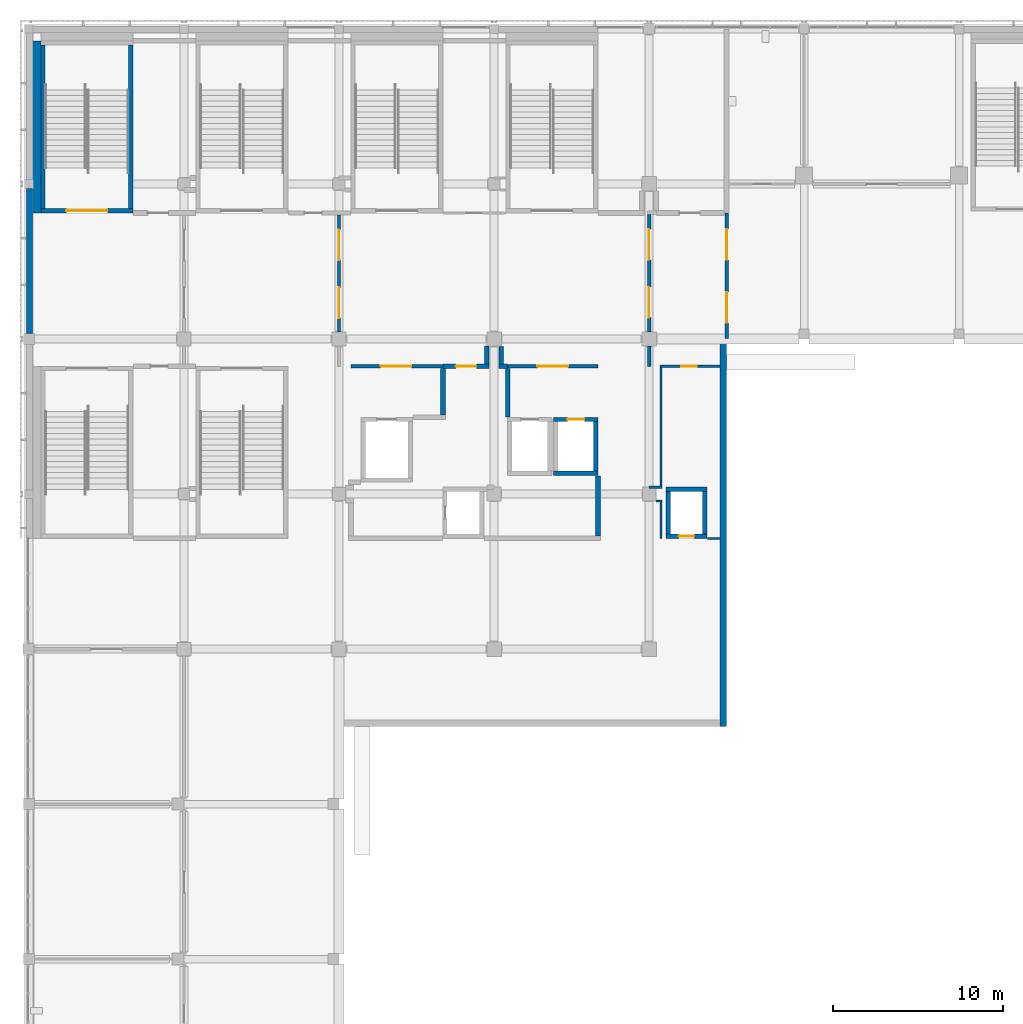
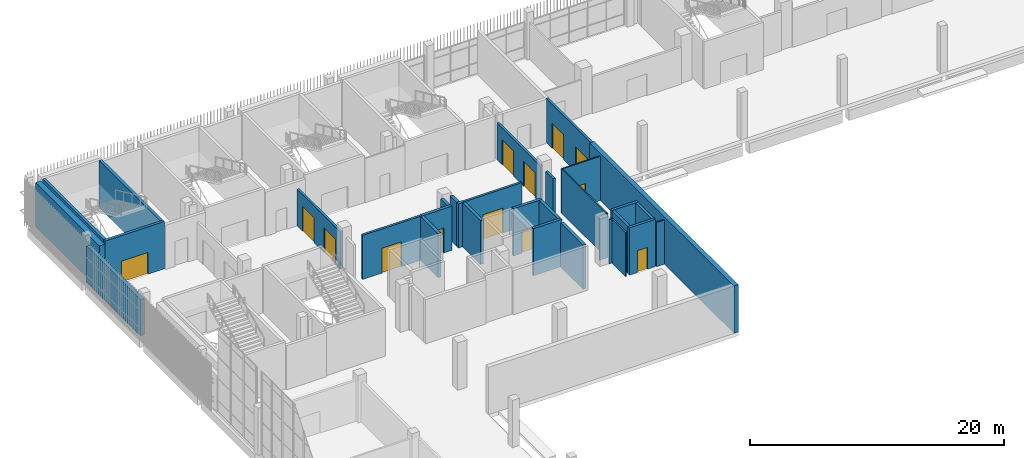
# One storey, part 81 of 126: 32 walls, 13 doors, 13 openings.
"""IFC4 building model written with IfcOpenShell, lengths in metres."""

from ifc_helpers import new_model, si_unit, direction, frame, frame_2d, origin, place, context, subcontext, project, spatial, rectangle, extrude, material, layer, layer_set, type_object, element, fill, save


model = new_model("IFC4")

# Units and contexts
model_context = context("Model", 3, precision=1e-05, world=origin(), true_north=direction((0.0, 1.0)))
body_context = subcontext(model_context, "Body", "Model", "MODEL_VIEW")
ifc_project = project(units=[si_unit("LENGTHUNIT", "METRE"), si_unit("AREAUNIT", "SQUARE_METRE"), si_unit("VOLUMEUNIT", "CUBIC_METRE"), si_unit("PLANEANGLEUNIT", "RADIAN"), si_unit("MASSUNIT", "GRAM", prefix="KILO")], contexts=[model_context])

# Site, building, storey
site_placement = place(None, origin())
site = spatial("IfcSite", under=ifc_project, at=site_placement, CompositionType="ELEMENT")
building_placement = place(site_placement, origin())
building = spatial("IfcBuilding", under=site, at=building_placement, Name="Shirokan Park Arena", CompositionType="ELEMENT")
storey_placement = place(building_placement, frame((0.0, 0.0, 6.3701171875)))
storey = spatial("IfcBuildingStorey", under=building, at=storey_placement, Name="L01", CompositionType="ELEMENT", Elevation=6.3701171875)

# Wall, openings, doors
ifc_material_1 = material(Name="Gypsum board")
ifc_layer_1 = layer(ifc_material_1, 0.02490234375, Name="Gypsum board, two layers")
ifc_material_2 = material(Name="Mineral wool insulation")
ifc_layer_2 = layer(ifc_material_2, 0.14990234375, Name="Mineral wool insulation")
ifc_layer_3 = layer(ifc_material_1, 0.02490234375, Name="Gypsum board, two layers")
ifc_layer_set_1 = layer_set([ifc_layer_1, ifc_layer_2, ifc_layer_3], Name="Gypsum board, two layers + Mineral wool insulation")
wall_type_1 = type_object("IfcWallType", Name="Corridor wall 200", PredefinedType="PARTITIONING", material=ifc_layer_set_1)
wall_1_placement = place(storey_placement, frame((18.199951171875, 98.27490234375, 0.0), z_axis=(0.0, 0.0, 1.0), x_axis=(0.0, -1.0, 0.0)))
wall_1 = element("IfcWall", 1, at=wall_1_placement, inside=storey, type_object=wall_type_1, Name="Corridor wall 200 L01", PredefinedType="PARTITIONING", context=body_context, shape_type="SweptSolid", body=[
    extrude(rectangle(XDim=6.849853515625, YDim=0.199951171875, at=frame_2d((3.4248046875, 0.0))), origin(), (0.0, 0.0, 1.0), 3.5498046875),
])
opening_1_placement = place(wall_1_placement, frame((0.85009765625, 0.0, 0.0)))
opening_1 = element("IfcOpeningElement", 2, at=opening_1_placement, cuts=wall_1, Name="Opening D-1087", PredefinedType="OPENING", context=body_context, shape_type="SweptSolid", body=[
    extrude(rectangle(XDim=1.800048828125, YDim=2.39990234375, at=frame_2d((0.89990234375, 1.199951171875))), frame((0.0, 0.10986328125, 0.0), z_axis=(0.0, -1.0, 0.0), x_axis=(1.0, 0.0, 0.0)), (0.0, 0.0, 1.0), 0.219970703125),
])
opening_2_placement = place(wall_1_placement, frame((4.25, 0.0, 0.0)))
opening_2 = element("IfcOpeningElement", 3, at=opening_2_placement, cuts=wall_1, Name="Opening D-1088", PredefinedType="OPENING", context=body_context, shape_type="SweptSolid", body=[
    extrude(rectangle(XDim=1.800048828125, YDim=2.39990234375, at=frame_2d((0.89990234375, 1.199951171875))), frame((0.0, 0.10986328125, 0.0), z_axis=(0.0, -1.0, 0.0), x_axis=(1.0, 0.0, 0.0)), (0.0, 0.0, 1.0), 0.219970703125),
])
ifc_material_3 = material(Name="Glazed steel door set, fire resisting", Category="steel")
door_type_1 = type_object("IfcDoorType", Name="Lift lobby door 1800 x 2400", OperationType="DOUBLE_DOOR_SINGLE_SWING", PredefinedType="DOOR", material=ifc_material_3)
door_1_placement = place(opening_1_placement, origin())
door_1 = element("IfcDoor", 4, at=door_1_placement, inside=storey, type_object=door_type_1, Name="Door between Kiosk Court 4.1.2 and Retail Arcade 4.1.3 D-1087", OperationType="DOUBLE_DOOR_SINGLE_SWING", OverallHeight=2.39990234375, OverallWidth=1.800048828125, PredefinedType="DOOR", context=body_context, shape_type="SweptSolid", body=[
    extrude(rectangle(XDim=1.800048828125, YDim=2.39990234375, at=frame_2d((0.89990234375, 1.199951171875))), frame((0.0, 0.02490234375, 0.0), z_axis=(0.0, -1.0, 0.0), x_axis=(1.0, 0.0, 0.0)), (0.0, 0.0, 1.0), 0.050048828125),
])
fill(opening_1, door_1)
door_2_placement = place(opening_2_placement, origin())
door_2 = element("IfcDoor", 5, at=door_2_placement, inside=storey, type_object=door_type_1, Name="Door between Kiosk Court 4.1.2 and Retail Arcade 4.1.3 D-1088", OperationType="DOUBLE_DOOR_SINGLE_SWING", OverallHeight=2.39990234375, OverallWidth=1.800048828125, PredefinedType="DOOR", context=body_context, shape_type="SweptSolid", body=[
    extrude(rectangle(XDim=1.800048828125, YDim=2.39990234375, at=frame_2d((0.89990234375, 1.199951171875))), frame((0.0, 0.02490234375, 0.0), z_axis=(0.0, -1.0, 0.0), x_axis=(1.0, 0.0, 0.0)), (0.0, 0.0, 1.0), 0.050048828125),
])
fill(opening_2, door_2)

# Wall, opening, door
wall_2_placement = place(storey_placement, frame((24.300048828125, 89.39990234375, 0.0), z_axis=(0.0, 0.0, 1.0), x_axis=(-1.0, 0.0, 0.0)))
wall_2 = element("IfcWall", 6, at=wall_2_placement, inside=storey, type_object=wall_type_1, Name="Corridor wall 200 L01", PredefinedType="PARTITIONING", context=body_context, shape_type="SweptSolid", body=[
    extrude(rectangle(XDim=5.400146484375, YDim=0.199951171875, at=frame_2d((2.7001953125, 0.0))), origin(), (0.0, 0.0, 1.0), 4.25),
])
opening_3_placement = place(wall_2_placement, frame((1.85009765625, 0.0, 0.0)))
opening_3 = element("IfcOpeningElement", 7, at=opening_3_placement, cuts=wall_2, Name="Opening D-1092", PredefinedType="OPENING", context=body_context, shape_type="SweptSolid", body=[
    extrude(rectangle(XDim=1.800048828125, YDim=2.39990234375, at=frame_2d((0.89990234375, 1.199951171875))), frame((0.0, 0.10986328125, 0.0), z_axis=(0.0, -1.0, 0.0), x_axis=(1.0, 0.0, 0.0)), (0.0, 0.0, 1.0), 0.219970703125),
])
door_3_placement = place(opening_3_placement, origin())
door_3 = element("IfcDoor", 8, at=door_3_placement, inside=storey, type_object=door_type_1, Name="Door between Retail Arcade 4.1.3 and Service Lift Lobby 4.1 D-1092", OperationType="DOUBLE_DOOR_SINGLE_SWING", OverallHeight=2.39990234375, OverallWidth=1.800048828125, PredefinedType="DOOR", context=body_context, shape_type="SweptSolid", body=[
    extrude(rectangle(XDim=1.800048828125, YDim=2.39990234375, at=frame_2d((0.89990234375, 1.199951171875))), frame((0.0, 0.02490234375, 0.0), z_axis=(0.0, -1.0, 0.0), x_axis=(1.0, 0.0, 0.0)), (0.0, 0.0, 1.0), 0.050048828125),
])
fill(opening_3, door_3)

wall_3_placement = place(storey_placement, frame((33.39990234375, 89.39990234375, 0.0), z_axis=(0.0, 0.0, 1.0), x_axis=(-1.0, 0.0, 0.0)))
wall_3 = element("IfcWall", 9, at=wall_3_placement, inside=storey, type_object=wall_type_1, Name="Corridor wall 200 L01", PredefinedType="PARTITIONING", context=body_context, shape_type="SweptSolid", body=[
    extrude(rectangle(XDim=5.2998046875, YDim=0.199951171875, at=frame_2d((2.64990234375, 0.0))), origin(), (0.0, 0.0, 1.0), 4.25),
])
opening_4_placement = place(wall_3_placement, frame((1.75, 0.0, 0.0)))
opening_4 = element("IfcOpeningElement", 10, at=opening_4_placement, cuts=wall_3, Name="Opening D-1091", PredefinedType="OPENING", context=body_context, shape_type="SweptSolid", body=[
    extrude(rectangle(XDim=1.800048828125, YDim=2.39990234375, at=frame_2d((0.89990234375, 1.199951171875))), frame((0.0, 0.10986328125, 0.0), z_axis=(0.0, -1.0, 0.0), x_axis=(1.0, 0.0, 0.0)), (0.0, 0.0, 1.0), 0.219970703125),
])
door_4_placement = place(opening_4_placement, origin())
door_4 = element("IfcDoor", 11, at=door_4_placement, inside=storey, type_object=door_type_1, Name="Door between Retail Arcade 4.1.3 and Lift Lobby 4.1 D-1091", OperationType="DOUBLE_DOOR_SINGLE_SWING", OverallHeight=2.39990234375, OverallWidth=1.800048828125, PredefinedType="DOOR", context=body_context, shape_type="SweptSolid", body=[
    extrude(rectangle(XDim=1.800048828125, YDim=2.39990234375, at=frame_2d((0.89990234375, 1.199951171875))), frame((0.0, 0.02490234375, 0.0), z_axis=(0.0, -1.0, 0.0), x_axis=(1.0, 0.0, 0.0)), (0.0, 0.0, 1.0), 0.050048828125),
])
fill(opening_4, door_4)

# Wall
wall_4_placement = place(storey_placement, frame((36.39990234375, 90.574951171875, 0.0), z_axis=(0.0, 0.0, 1.0), x_axis=(0.0, -1.0, 0.0)))
element("IfcWall", 12, at=wall_4_placement, inside=storey, type_object=wall_type_1, Name="Corridor wall 200 L01", PredefinedType="PARTITIONING", context=body_context, shape_type="SweptSolid", body=[
    extrude(rectangle(XDim=1.175048828125, YDim=0.199951171875, at=frame_2d((0.58740234375, 0.0))), origin(), (0.0, 0.0, 1.0), 3.5498046875),
])

# Wall, openings, doors
wall_5_placement = place(storey_placement, frame((36.39990234375, 98.300048828125, 0.0), z_axis=(0.0, 0.0, 1.0), x_axis=(0.0, -1.0, 0.0)))
wall_5 = element("IfcWall", 13, at=wall_5_placement, inside=storey, type_object=wall_type_1, Name="Corridor wall 200 L01", PredefinedType="PARTITIONING", context=body_context, shape_type="SweptSolid", body=[
    extrude(rectangle(XDim=6.875, YDim=0.199951171875, at=frame_2d((3.4375, 0.0))), origin(), (0.0, 0.0, 1.0), 3.5498046875),
])
opening_5_placement = place(wall_5_placement, frame((0.85009765625, 0.0, 0.0)))
opening_5 = element("IfcOpeningElement", 14, at=opening_5_placement, cuts=wall_5, Name="Opening D-1089", PredefinedType="OPENING", context=body_context, shape_type="SweptSolid", body=[
    extrude(rectangle(XDim=1.800048828125, YDim=2.39990234375, at=frame_2d((0.89990234375, 1.199951171875))), frame((0.0, 0.10986328125, 0.0), z_axis=(0.0, -1.0, 0.0), x_axis=(1.0, 0.0, 0.0)), (0.0, 0.0, 1.0), 0.219970703125),
])
opening_6_placement = place(wall_5_placement, frame((4.25, 0.0, 0.0)))
opening_6 = element("IfcOpeningElement", 15, at=opening_6_placement, cuts=wall_5, Name="Opening D-1090", PredefinedType="OPENING", context=body_context, shape_type="SweptSolid", body=[
    extrude(rectangle(XDim=1.800048828125, YDim=2.39990234375, at=frame_2d((0.89990234375, 1.199951171875))), frame((0.0, 0.10986328125, 0.0), z_axis=(0.0, -1.0, 0.0), x_axis=(1.0, 0.0, 0.0)), (0.0, 0.0, 1.0), 0.219970703125),
])
door_5_placement = place(opening_5_placement, origin())
door_5 = element("IfcDoor", 16, at=door_5_placement, inside=storey, type_object=door_type_1, Name="Door between Retail Arcade 4.1.3 and Stair Lobby 4.1.4 D-1089", OperationType="DOUBLE_DOOR_SINGLE_SWING", OverallHeight=2.39990234375, OverallWidth=1.800048828125, PredefinedType="DOOR", context=body_context, shape_type="SweptSolid", body=[
    extrude(rectangle(XDim=1.800048828125, YDim=2.39990234375, at=frame_2d((0.89990234375, 1.199951171875))), frame((0.0, 0.02490234375, 0.0), z_axis=(0.0, -1.0, 0.0), x_axis=(1.0, 0.0, 0.0)), (0.0, 0.0, 1.0), 0.050048828125),
])
fill(opening_5, door_5)
door_6_placement = place(opening_6_placement, origin())
door_6 = element("IfcDoor", 17, at=door_6_placement, inside=storey, type_object=door_type_1, Name="Door between Retail Arcade 4.1.3 and Stair Lobby 4.1.4 D-1090", OperationType="DOUBLE_DOOR_SINGLE_SWING", OverallHeight=2.39990234375, OverallWidth=1.800048828125, PredefinedType="DOOR", context=body_context, shape_type="SweptSolid", body=[
    extrude(rectangle(XDim=1.800048828125, YDim=2.39990234375, at=frame_2d((0.89990234375, 1.199951171875))), frame((0.0, 0.02490234375, 0.0), z_axis=(0.0, -1.0, 0.0), x_axis=(1.0, 0.0, 0.0)), (0.0, 0.0, 1.0), 0.050048828125),
])
fill(opening_6, door_6)

wall_6_placement = place(storey_placement, frame((40.949951171875, 98.39990234375, 0.0), z_axis=(0.0, 0.0, 1.0), x_axis=(0.0, -1.0, 0.0)))
wall_6 = element("IfcWall", 18, at=wall_6_placement, inside=storey, type_object=wall_type_1, Name="Corridor wall 200 L01", PredefinedType="PARTITIONING", context=body_context, shape_type="SweptSolid", body=[
    extrude(rectangle(XDim=7.369873046875, YDim=0.199951171875, at=frame_2d((3.68505859375, 0.0))), origin(), (0.0, 0.0, 1.0), 4.25),
])
opening_7_placement = place(wall_6_placement, frame((0.949951171875, 0.0, 0.0)))
opening_7 = element("IfcOpeningElement", 19, at=opening_7_placement, cuts=wall_6, Name="Opening D-1093", PredefinedType="OPENING", context=body_context, shape_type="SweptSolid", body=[
    extrude(rectangle(XDim=1.800048828125, YDim=2.39990234375, at=frame_2d((0.89990234375, 1.199951171875))), frame((0.0, 0.10986328125, 0.0), z_axis=(0.0, -1.0, 0.0), x_axis=(1.0, 0.0, 0.0)), (0.0, 0.0, 1.0), 0.219970703125),
])
opening_8_placement = place(wall_6_placement, frame((4.64990234375, 0.0, 0.0)))
opening_8 = element("IfcOpeningElement", 20, at=opening_8_placement, cuts=wall_6, Name="Opening D-1094", PredefinedType="OPENING", context=body_context, shape_type="SweptSolid", body=[
    extrude(rectangle(XDim=1.800048828125, YDim=2.39990234375, at=frame_2d((0.89990234375, 1.199951171875))), frame((0.0, 0.10986328125, 0.0), z_axis=(0.0, -1.0, 0.0), x_axis=(1.0, 0.0, 0.0)), (0.0, 0.0, 1.0), 0.219970703125),
])
door_7_placement = place(opening_7_placement, origin())
door_7 = element("IfcDoor", 21, at=door_7_placement, inside=storey, type_object=door_type_1, Name="Door between Stair Lobby 4.1.4 and Concourse L01 North D-1093", OperationType="DOUBLE_DOOR_SINGLE_SWING", OverallHeight=2.39990234375, OverallWidth=1.800048828125, PredefinedType="DOOR", context=body_context, shape_type="SweptSolid", body=[
    extrude(rectangle(XDim=1.800048828125, YDim=2.39990234375, at=frame_2d((0.89990234375, 1.199951171875))), frame((0.0, 0.02490234375, 0.0), z_axis=(0.0, -1.0, 0.0), x_axis=(1.0, 0.0, 0.0)), (0.0, 0.0, 1.0), 0.050048828125),
])
fill(opening_7, door_7)
door_8_placement = place(opening_8_placement, origin())
door_8 = element("IfcDoor", 22, at=door_8_placement, inside=storey, type_object=door_type_1, Name="Door between Stair Lobby 4.1.4 and Concourse L01 North D-1094", OperationType="DOUBLE_DOOR_SINGLE_SWING", OverallHeight=2.39990234375, OverallWidth=1.800048828125, PredefinedType="DOOR", context=body_context, shape_type="SweptSolid", body=[
    extrude(rectangle(XDim=1.800048828125, YDim=2.39990234375, at=frame_2d((0.89990234375, 1.199951171875))), frame((0.0, 0.02490234375, 0.0), z_axis=(0.0, -1.0, 0.0), x_axis=(1.0, 0.0, 0.0)), (0.0, 0.0, 1.0), 0.050048828125),
])
fill(opening_8, door_8)

# Walls
ifc_material_4 = material(Name="Cedar cladding")
ifc_layer_4 = layer(ifc_material_4, 0.030029296875, Name="Cedar cladding")
ifc_layer_5 = layer(ifc_material_2, 0.10009765625, Name="Mineral wool insulation")
ifc_material_5 = material(Name="Concrete C35", Category="concrete")
ifc_layer_6 = layer(ifc_material_5, 0.199951171875, Name="Concrete C35")
ifc_material_6 = material(Name="Gypsum board lining")
ifc_layer_7 = layer(ifc_material_6, 0.02001953125, Name="Gypsum board lining")
ifc_layer_set_2 = layer_set([ifc_layer_4, ifc_layer_5, ifc_layer_6, ifc_layer_7], Name="Cedar cladding + Mineral wool insulation + Concrete C35 + Gypsum board lining")
wall_type_2 = type_object("IfcWallType", Name="Insulated tower wall 350", PredefinedType="SOLIDWALL", material=ifc_layer_set_2)
wall_7_placement = place(storey_placement, frame((0.02490234375, 99.824951171875, 0.0), z_axis=(0.0, 0.0, 1.0), x_axis=(0.0, -1.0, 0.0)))
element("IfcWall", 23, at=wall_7_placement, inside=storey, type_object=wall_type_2, Name="West facade wall bay 2 L01", PredefinedType="SOLIDWALL", context=body_context, shape_type="SweptSolid", body=[
    extrude(rectangle(XDim=8.5, YDim=0.35009765625, at=frame_2d((4.25, 0.0))), origin(), (0.0, 0.0, 1.0), 3.5),
])
ifc_material_7 = material(Name="Plaster")
ifc_layer_8 = layer(ifc_material_7, 0.012451171875, Name="Plaster")
ifc_material_8 = material(Name="Concrete blockwork", Category="masonry")
ifc_layer_9 = layer(ifc_material_8, 0.25, Name="Concrete blockwork 250")
ifc_layer_10 = layer(ifc_material_7, 0.012451171875, Name="Plaster")
ifc_layer_set_3 = layer_set([ifc_layer_8, ifc_layer_9, ifc_layer_10], Name="Plaster + Concrete blockwork 250")
wall_type_3 = type_object("IfcWallType", Name="Plant room wall 275", PredefinedType="SOLIDWALL", material=ifc_layer_set_3)
wall_8_placement = place(storey_placement, frame((24.300048828125, 86.53759765625, 0.0), z_axis=(0.0, 0.0, 1.0), x_axis=(0.0, 1.0, 0.0)))
element("IfcWall", 24, at=wall_8_placement, inside=storey, type_object=wall_type_3, Name="Plant room wall 275 L01", PredefinedType="SOLIDWALL", context=body_context, shape_type="SweptSolid", body=[
    extrude(rectangle(XDim=2.724853515625, YDim=0.27490234375, at=frame_2d((1.3623046875, 0.0))), origin(), (0.0, 0.0, 1.0), 4.25),
])
wall_9_placement = place(storey_placement, frame((26.875, 90.574951171875, 0.0), z_axis=(0.0, 0.0, 1.0), x_axis=(0.0, -1.0, 0.0)))
element("IfcWall", 25, at=wall_9_placement, inside=storey, type_object=wall_type_3, Name="Plant room wall 275 L01", PredefinedType="SOLIDWALL", context=body_context, shape_type="SweptSolid", body=[
    extrude(rectangle(XDim=1.037353515625, YDim=0.27490234375, at=frame_2d((0.5185546875, 0.0))), origin(), (0.0, 0.0, 1.0), 4.25),
])

# Wall, opening, door
wall_10_placement = place(storey_placement, frame((27.012451171875, 89.39990234375, 0.0), z_axis=(0.0, 0.0, 1.0), x_axis=(-1.0, 0.0, 0.0)))
wall_10 = element("IfcWall", 26, at=wall_10_placement, inside=storey, type_object=wall_type_3, Name="Plant room wall 275 L01", PredefinedType="SOLIDWALL", context=body_context, shape_type="SweptSolid", body=[
    extrude(rectangle(XDim=2.71240234375, YDim=0.27490234375, at=frame_2d((1.356201171875, 0.0))), origin(), (0.0, 0.0, 1.0), 4.25),
])
opening_9_placement = place(wall_10_placement, frame((0.75, 0.0, 0.0)))
opening_9 = element("IfcOpeningElement", 27, at=opening_9_placement, cuts=wall_10, Name="Opening D-1025", PredefinedType="OPENING", context=body_context, shape_type="SweptSolid", body=[
    extrude(rectangle(XDim=1.199951171875, YDim=2.39990234375, at=frame_2d((0.60009765625, 1.199951171875))), frame((0.0, 0.1474609375, 0.0), z_axis=(0.0, -1.0, 0.0), x_axis=(1.0, 0.0, 0.0)), (0.0, 0.0, 1.0), 0.294921875),
])
ifc_material_9 = material(Name="Louvred steel door set, fire resisting", Category="steel")
door_type_2 = type_object("IfcDoorType", Name="Plant room door 1200 x 2400", OperationType="SINGLE_SWING_LEFT", PredefinedType="DOOR", material=ifc_material_9)
door_9_placement = place(opening_9_placement, origin())
door_9 = element("IfcDoor", 28, at=door_9_placement, inside=storey, type_object=door_type_2, Name="Door to Electrical Room 1.48 D-1025", OperationType="SINGLE_SWING_RIGHT", OverallHeight=2.39990234375, OverallWidth=1.199951171875, PredefinedType="DOOR", context=body_context, shape_type="SweptSolid", body=[
    extrude(rectangle(XDim=1.199951171875, YDim=2.39990234375, at=frame_2d((0.60009765625, 1.199951171875))), frame((0.0, 0.02490234375, 0.0), z_axis=(0.0, -1.0, 0.0), x_axis=(1.0, 0.0, 0.0)), (0.0, 0.0, 1.0), 0.050048828125),
])
fill(opening_9, door_9)

# Walls
wall_11_placement = place(storey_placement, frame((27.72509765625, 89.53759765625, 0.0), z_axis=(0.0, 0.0, 1.0), x_axis=(0.0, 1.0, 0.0)))
element("IfcWall", 29, at=wall_11_placement, inside=storey, type_object=wall_type_3, Name="Plant room wall 275 L01", PredefinedType="SOLIDWALL", context=body_context, shape_type="SweptSolid", body=[
    extrude(rectangle(XDim=1.037353515625, YDim=0.27490234375, at=frame_2d((0.5185546875, 0.0))), origin(), (0.0, 0.0, 1.0), 4.25),
])
wall_12_placement = place(storey_placement, frame((28.10009765625, 89.262451171875, 0.0), z_axis=(0.0, 0.0, 1.0), x_axis=(0.0, -1.0, 0.0)))
element("IfcWall", 30, at=wall_12_placement, inside=storey, type_object=wall_type_3, Name="Plant room wall 275 L01", PredefinedType="SOLIDWALL", context=body_context, shape_type="SweptSolid", body=[
    extrude(rectangle(XDim=2.83251953125, YDim=0.27490234375, at=frame_2d((1.416259765625, 0.0))), origin(), (0.0, 0.0, 1.0), 4.25),
])
wall_13_placement = place(storey_placement, frame((28.10009765625, 89.39990234375, 0.0), z_axis=(0.0, 0.0, 1.0), x_axis=(-1.0, 0.0, 0.0)))
element("IfcWall", 31, at=wall_13_placement, inside=storey, type_object=wall_type_3, Name="Plant room wall 275 L01", PredefinedType="SOLIDWALL", context=body_context, shape_type="SweptSolid", body=[
    extrude(rectangle(XDim=0.5126953125, YDim=0.27490234375, at=frame_2d((0.25634765625, 0.0))), origin(), (0.0, 0.0, 1.0), 4.25),
])
wall_14_placement = place(storey_placement, frame((33.39990234375, 82.969970703125, 0.0), z_axis=(0.0, 0.0, 1.0), x_axis=(0.0, -1.0, 0.0)))
element("IfcWall", 32, at=wall_14_placement, inside=storey, type_object=wall_type_3, Name="Plant room wall 275 L01", PredefinedType="SOLIDWALL", context=body_context, shape_type="SweptSolid", body=[
    extrude(rectangle(XDim=3.532470703125, YDim=0.27490234375, at=frame_2d((1.76611328125, 0.0))), origin(), (0.0, 0.0, 1.0), 4.25),
])
ifc_layer_11 = layer(ifc_material_5, 0.39990234375)
ifc_layer_set_4 = layer_set([ifc_layer_11], Name="Concrete C35 400 mm")
wall_type_4 = type_object("IfcWallType", Name="RC flank wall 400", PredefinedType="SHEAR", material=ifc_layer_set_4)
wall_15_placement = place(storey_placement, frame((40.75, 68.25, 0.0), z_axis=(0.0, 0.0, 1.0), x_axis=(0.0, 1.0, 0.0)))
element("IfcWall", 33, at=wall_15_placement, inside=storey, type_object=wall_type_4, Name="Flank wall N1 L01", PredefinedType="SHEAR", context=body_context, shape_type="SweptSolid", body=[
    extrude(rectangle(XDim=22.75, YDim=0.39990234375, at=frame_2d((11.375, 0.0))), origin(), (0.0, 0.0, 1.0), 4.5498046875),
])
ifc_material_10 = material(Name="Concrete C40/50", Category="concrete")
ifc_layer_12 = layer(ifc_material_10, 0.25)
ifc_layer_set_5 = layer_set([ifc_layer_12], Name="Concrete C40/50 250 mm")
wall_type_5 = type_object("IfcWallType", Name="RC shear wall 250", PredefinedType="SHEAR", material=ifc_layer_set_5)
wall_16_placement = place(storey_placement, frame((33.39990234375, 83.125, 0.0), z_axis=(0.0, 0.0, 1.0), x_axis=(-1.0, 0.0, 0.0)))
element("IfcWall", 34, at=wall_16_placement, inside=storey, type_object=wall_type_5, Name="Shaft wall Passenger Lift 4.2 S L01", PredefinedType="SHEAR", context=body_context, shape_type="SweptSolid", body=[
    extrude(rectangle(XDim=2.599853515625, YDim=0.25, at=frame_2d((1.2998046875, 0.0))), origin(), (0.0, 0.0, 1.0), 4.5498046875),
])

# Wall, opening, door
wall_17_placement = place(storey_placement, frame((33.39990234375, 86.27490234375, 0.0), z_axis=(0.0, 0.0, 1.0), x_axis=(-1.0, 0.0, 0.0)))
wall_17 = element("IfcWall", 35, at=wall_17_placement, inside=storey, type_object=wall_type_5, Name="Shaft wall Passenger Lift 4.2 N L01", PredefinedType="SHEAR", context=body_context, shape_type="SweptSolid", body=[
    extrude(rectangle(XDim=2.599853515625, YDim=0.25, at=frame_2d((1.2998046875, 0.0))), origin(), (0.0, 0.0, 1.0), 4.5498046875),
])
opening_10_placement = place(wall_17_placement, frame((0.800048828125, 0.0, 0.0)))
opening_10 = element("IfcOpeningElement", 36, at=opening_10_placement, cuts=wall_17, Name="Opening LD44", PredefinedType="OPENING", context=body_context, shape_type="SweptSolid", body=[
    extrude(rectangle(XDim=1.0, YDim=2.10009765625, at=frame_2d((0.5, 1.050048828125))), frame((0.0, 0.135009765625, 0.0), z_axis=(0.0, -1.0, 0.0), x_axis=(1.0, 0.0, 0.0)), (0.0, 0.0, 1.0), 0.27001953125),
])
ifc_material_11 = material(Name="Stainless steel", Category="steel")
door_type_3 = type_object("IfcDoorType", Name="Lift landing door 1000x2100", OperationType="DOUBLE_DOOR_SLIDING", PredefinedType="DOOR", material=ifc_material_11)
door_10_placement = place(opening_10_placement, origin())
door_10 = element("IfcDoor", 37, at=door_10_placement, inside=storey, type_object=door_type_3, Name="Lift landing door Passenger Lift 4.2 L01", OperationType="DOUBLE_DOOR_SLIDING", OverallHeight=2.10009765625, OverallWidth=1.0, PredefinedType="DOOR", context=body_context, shape_type="SweptSolid", body=[
    extrude(rectangle(XDim=1.0, YDim=2.10009765625, at=frame_2d((0.5, 1.050048828125))), frame((0.0, 0.02490234375, 0.0), z_axis=(0.0, -1.0, 0.0), x_axis=(1.0, 0.0, 0.0)), (0.0, 0.0, 1.0), 0.050048828125),
])
fill(opening_10, door_10)

# Wall
wall_18_placement = place(storey_placement, frame((33.27490234375, 86.14990234375, 0.0), z_axis=(0.0, 0.0, 1.0), x_axis=(0.0, -1.0, 0.0)))
element("IfcWall", 38, at=wall_18_placement, inside=storey, type_object=wall_type_5, Name="Shaft wall Passenger Lift 4.2 E L01", PredefinedType="SHEAR", context=body_context, shape_type="SweptSolid", body=[
    extrude(rectangle(XDim=2.89990234375, YDim=0.25, at=frame_2d((1.449951171875, 0.0))), origin(), (0.0, 0.0, 1.0), 4.5498046875),
])

# Wall, opening, door
wall_19_placement = place(storey_placement, frame((39.800048828125, 79.425048828125, 0.0), z_axis=(0.0, 0.0, 1.0), x_axis=(-1.0, 0.0, 0.0)))
wall_19 = element("IfcWall", 39, at=wall_19_placement, inside=storey, type_object=wall_type_5, Name="Shaft wall Services Riser 4.1 S L01", PredefinedType="SHEAR", context=body_context, shape_type="SweptSolid", body=[
    extrude(rectangle(XDim=2.400146484375, YDim=0.25, at=frame_2d((1.2001953125, 0.0))), origin(), (0.0, 0.0, 1.0), 4.5498046875),
])
opening_11_placement = place(wall_19_placement, frame((0.75, 0.0, 0.0)))
opening_11 = element("IfcOpeningElement", 40, at=opening_11_placement, cuts=wall_19, Name="Opening D-1101", PredefinedType="OPENING", context=body_context, shape_type="SweptSolid", body=[
    extrude(rectangle(XDim=0.89990234375, YDim=2.10009765625, at=frame_2d((0.449951171875, 1.050048828125))), frame((0.0, 0.135009765625, 0.0), z_axis=(0.0, -1.0, 0.0), x_axis=(1.0, 0.0, 0.0)), (0.0, 0.0, 1.0), 0.27001953125),
])
ifc_material_12 = material(Name="Steel door set, fire resisting", Category="steel")
door_type_4 = type_object("IfcDoorType", Name="Electrical riser door 900 x 2100", OperationType="SINGLE_SWING_LEFT", PredefinedType="DOOR", material=ifc_material_12)
door_11_placement = place(opening_11_placement, origin())
door_11 = element("IfcDoor", 41, at=door_11_placement, inside=storey, type_object=door_type_4, Name="Riser access door Services Riser 4.1 D-1101", OperationType="SINGLE_SWING_RIGHT", OverallHeight=2.10009765625, OverallWidth=0.89990234375, PredefinedType="DOOR", context=body_context, shape_type="SweptSolid", body=[
    extrude(rectangle(XDim=0.89990234375, YDim=2.10009765625, at=frame_2d((0.449951171875, 1.050048828125))), frame((0.0, 0.02490234375, 0.0), z_axis=(0.0, -1.0, 0.0), x_axis=(1.0, 0.0, 0.0)), (0.0, 0.0, 1.0), 0.050048828125),
])
fill(opening_11, door_11)

# Walls
wall_20_placement = place(storey_placement, frame((39.800048828125, 82.175048828125, 0.0), z_axis=(0.0, 0.0, 1.0), x_axis=(-1.0, 0.0, 0.0)))
element("IfcWall", 42, at=wall_20_placement, inside=storey, type_object=wall_type_5, Name="Shaft wall Services Riser 4.1 N L01", PredefinedType="SHEAR", context=body_context, shape_type="SweptSolid", body=[
    extrude(rectangle(XDim=2.400146484375, YDim=0.25, at=frame_2d((1.2001953125, 0.0))), origin(), (0.0, 0.0, 1.0), 4.5498046875),
])
for number, where, z_axis, x_axis, name in (
    (43, (37.52490234375, 82.050048828125, 0.0), (0.0, 0.0, 1.0), (0.0, -1.0, 0.0), "Shaft wall Services Riser 4.1 W L01"),
    (44, (39.675048828125, 82.050048828125, 0.0), (0.0, 0.0, 1.0), (0.0, -1.0, 0.0), "Shaft wall Services Riser 4.1 E L01"),
):
    element("IfcWall", number, at=place(storey_placement, frame(where, z_axis=z_axis, x_axis=x_axis)), inside=storey, type_object=wall_type_5, Name=name, PredefinedType="SHEAR", context=body_context, shape_type="SweptSolid", body=[
        extrude(rectangle(XDim=2.5, YDim=0.25, at=frame_2d((1.25, 0.0))), origin(), (0.0, 0.0, 1.0), 4.5498046875),
    ])

# Wall, opening, door
wall_21_placement = place(storey_placement, frame((6.10009765625, 98.52490234375, 0.0), z_axis=(0.0, 0.0, 1.0), x_axis=(-1.0, 0.0, 0.0)))
wall_21 = element("IfcWall", 45, at=wall_21_placement, inside=storey, type_object=wall_type_5, Name="Shaft wall Exit Stair 4.A S L01", PredefinedType="SHEAR", context=body_context, shape_type="SweptSolid", body=[
    extrude(rectangle(XDim=5.400146484375, YDim=0.25, at=frame_2d((2.7001953125, 0.0))), origin(), (0.0, 0.0, 1.0), 4.5498046875),
])
opening_12_placement = place(wall_21_placement, frame((1.5, 0.0, 0.0)))
opening_12 = element("IfcOpeningElement", 46, at=opening_12_placement, cuts=wall_21, Name="Opening D-1112", PredefinedType="OPENING", context=body_context, shape_type="SweptSolid", body=[
    extrude(rectangle(XDim=2.39990234375, YDim=2.10009765625, at=frame_2d((1.199951171875, 1.050048828125))), frame((0.0, 0.135009765625, 0.0), z_axis=(0.0, -1.0, 0.0), x_axis=(1.0, 0.0, 0.0)), (0.0, 0.0, 1.0), 0.27001953125),
])
door_type_5 = type_object("IfcDoorType", Name="Stair door 2400 x 2100", OperationType="DOUBLE_DOOR_SINGLE_SWING", PredefinedType="DOOR", material=ifc_material_12)
door_12_placement = place(opening_12_placement, origin())
door_12 = element("IfcDoor", 47, at=door_12_placement, inside=storey, type_object=door_type_5, Name="Stair door Exit Stair 4.A D-1112", OperationType="DOUBLE_DOOR_SINGLE_SWING", OverallHeight=2.10009765625, OverallWidth=2.39990234375, PredefinedType="DOOR", context=body_context, shape_type="SweptSolid", body=[
    extrude(rectangle(XDim=2.39990234375, YDim=2.10009765625, at=frame_2d((1.199951171875, 1.050048828125))), frame((0.0, 0.02490234375, 0.0), z_axis=(0.0, -1.0, 0.0), x_axis=(1.0, 0.0, 0.0)), (0.0, 0.0, 1.0), 0.050048828125),
])
fill(opening_12, door_12)

# Walls
for number, where, z_axis, x_axis, name in (
    (48, (0.824951171875, 108.25, 0.0), (0.0, 0.0, 1.0), (0.0, -1.0, 0.0), "Shaft wall Exit Stair 4.A W L01"),
    (49, (5.97509765625, 108.25, 0.0), (0.0, 0.0, 1.0), (0.0, -1.0, 0.0), "Shaft wall Exit Stair 4.A E L01"),
):
    element("IfcWall", number, at=place(storey_placement, frame(where, z_axis=z_axis, x_axis=x_axis)), inside=storey, type_object=wall_type_5, Name=name, PredefinedType="SHEAR", context=body_context, shape_type="SweptSolid", body=[
        extrude(rectangle(XDim=9.60009765625, YDim=0.25, at=frame_2d((4.800048828125, 0.0))), origin(), (0.0, 0.0, 1.0), 4.5498046875),
    ])
ifc_layer_13 = layer(ifc_material_5, 0.5)
ifc_layer_set_6 = layer_set([ifc_layer_13], Name="Concrete C35 500 mm")
wall_type_6 = type_object("IfcWallType", Name="Shaft infill wall 500", PredefinedType="SOLIDWALL", material=ifc_layer_set_6)
wall_22_placement = place(storey_placement, frame((0.449951171875, 98.39990234375, 0.0), z_axis=(0.0, 0.0, 1.0), x_axis=(0.0, 1.0, 0.0)))
element("IfcWall", 50, at=wall_22_placement, inside=storey, type_object=wall_type_6, Name="Shaft infill wall L01", PredefinedType="SOLIDWALL", context=body_context, shape_type="SweptSolid", body=[
    extrude(rectangle(XDim=10.10009765625, YDim=0.5, at=frame_2d((5.050048828125, 0.0))), origin(), (0.0, 0.0, 1.0), 4.25),
])
ifc_material_13 = material(Name="Ceramic tile")
ifc_layer_14 = layer(ifc_material_13, 0.010009765625, Name="Ceramic tile")
ifc_material_14 = material(Name="Cement board")
ifc_layer_15 = layer(ifc_material_14, 0.012451171875, Name="Cement board")
ifc_layer_16 = layer(ifc_material_2, 0.080078125, Name="Mineral wool insulation")
ifc_layer_17 = layer(ifc_material_14, 0.012451171875, Name="Cement board")
ifc_layer_18 = layer(ifc_material_13, 0.010009765625, Name="Ceramic tile")
ifc_layer_set_7 = layer_set([ifc_layer_14, ifc_layer_15, ifc_layer_16, ifc_layer_17, ifc_layer_18], Name="Ceramic tile + Cement board + Mineral wool insulation")
wall_type_7 = type_object("IfcWallType", Name="Wet-area wall 125", PredefinedType="PARTITIONING", material=ifc_layer_set_7)
wall_23_placement = place(storey_placement, frame((36.39990234375, 82.300048828125, 0.0), z_axis=(0.0, 0.0, 1.0), x_axis=(1.0, 0.0, 0.0)))
element("IfcWall", 51, at=wall_23_placement, inside=storey, type_object=wall_type_7, Name="Wet-area wall 125 L01", PredefinedType="PARTITIONING", context=body_context, shape_type="SweptSolid", body=[
    extrude(rectangle(XDim=0.7626953125, YDim=0.125, at=frame_2d((0.38134765625, 0.0))), origin(), (0.0, 0.0, 1.0), 4.25),
])
wall_24_placement = place(storey_placement, frame((36.800048828125, 81.5, 0.0), z_axis=(0.0, 0.0, 1.0), x_axis=(1.0, 0.0, 0.0)))
element("IfcWall", 52, at=wall_24_placement, inside=storey, type_object=wall_type_7, Name="Wet-area wall 125 L01", PredefinedType="PARTITIONING", context=body_context, shape_type="SweptSolid", body=[
    extrude(rectangle(XDim=0.362548828125, YDim=0.125, at=frame_2d((0.18115234375, 0.0))), origin(), (0.0, 0.0, 1.0), 4.25),
])
wall_25_placement = place(storey_placement, frame((37.10009765625, 81.4375, 0.0), z_axis=(0.0, 0.0, 1.0), x_axis=(0.0, -1.0, 0.0)))
element("IfcWall", 53, at=wall_25_placement, inside=storey, type_object=wall_type_7, Name="Wet-area wall 125 L01", PredefinedType="PARTITIONING", context=body_context, shape_type="SweptSolid", body=[
    extrude(rectangle(XDim=2.137451171875, YDim=0.125, at=frame_2d((1.06884765625, 0.0))), origin(), (0.0, 0.0, 1.0), 4.25),
])
wall_26_placement = place(storey_placement, frame((37.10009765625, 89.33740234375, 0.0), z_axis=(0.0, 0.0, 1.0), x_axis=(0.0, -1.0, 0.0)))
element("IfcWall", 54, at=wall_26_placement, inside=storey, type_object=wall_type_7, Name="Wet-area wall 125 L01", PredefinedType="PARTITIONING", context=body_context, shape_type="SweptSolid", body=[
    extrude(rectangle(XDim=6.974853515625, YDim=0.125, at=frame_2d((3.4873046875, 0.0))), origin(), (0.0, 0.0, 1.0), 4.25),
])
wall_27_placement = place(storey_placement, frame((40.550048828125, 79.300048828125, 0.0), z_axis=(0.0, 0.0, 1.0), x_axis=(-1.0, 0.0, 0.0)))
element("IfcWall", 55, at=wall_27_placement, inside=storey, type_object=wall_type_7, Name="Wet-area wall 125 L01", PredefinedType="PARTITIONING", context=body_context, shape_type="SweptSolid", body=[
    extrude(rectangle(XDim=0.719970703125, YDim=0.125, at=frame_2d((0.35986328125, 0.0))), origin(), (0.0, 0.0, 1.0), 4.25),
])

# Wall, opening, door
wall_28_placement = place(storey_placement, frame((40.550048828125, 89.39990234375, 0.0), z_axis=(0.0, 0.0, 1.0), x_axis=(-1.0, 0.0, 0.0)))
wall_28 = element("IfcWall", 56, at=wall_28_placement, inside=storey, type_object=wall_type_7, Name="Wet-area wall 125 L01", PredefinedType="PARTITIONING", context=body_context, shape_type="SweptSolid", body=[
    extrude(rectangle(XDim=3.512451171875, YDim=0.125, at=frame_2d((1.75634765625, 0.0))), origin(), (0.0, 0.0, 1.0), 4.25),
])
opening_13_placement = place(wall_28_placement, frame((1.35009765625, 0.0, 0.0)))
opening_13 = element("IfcOpeningElement", 57, at=opening_13_placement, cuts=wall_28, Name="Opening D-1026", PredefinedType="OPENING", context=body_context, shape_type="SweptSolid", body=[
    extrude(rectangle(XDim=0.89990234375, YDim=2.10009765625, at=frame_2d((0.449951171875, 1.050048828125))), frame((0.0, 0.072509765625, 0.0), z_axis=(0.0, -1.0, 0.0), x_axis=(1.0, 0.0, 0.0)), (0.0, 0.0, 1.0), 0.14501953125),
])
ifc_material_15 = material(Name="Timber door set, fire resisting", Category="wood")
door_type_6 = type_object("IfcDoorType", Name="Door 900 x 2100", OperationType="SINGLE_SWING_LEFT", PredefinedType="DOOR", material=ifc_material_15)
door_13_placement = place(opening_13_placement, origin())
door_13 = element("IfcDoor", 58, at=door_13_placement, inside=storey, type_object=door_type_6, Name="Door to Staff WC 1.49 D-1026", OperationType="SINGLE_SWING_LEFT", OverallHeight=2.10009765625, OverallWidth=0.89990234375, PredefinedType="DOOR", context=body_context, shape_type="SweptSolid", body=[
    extrude(rectangle(XDim=0.89990234375, YDim=2.10009765625, at=frame_2d((0.449951171875, 1.050048828125))), frame((0.0, 0.02490234375, 0.0), z_axis=(0.0, -1.0, 0.0), x_axis=(1.0, 0.0, 0.0)), (0.0, 0.0, 1.0), 0.050048828125),
])
fill(opening_13, door_13)

save(model, "model.ifc")
